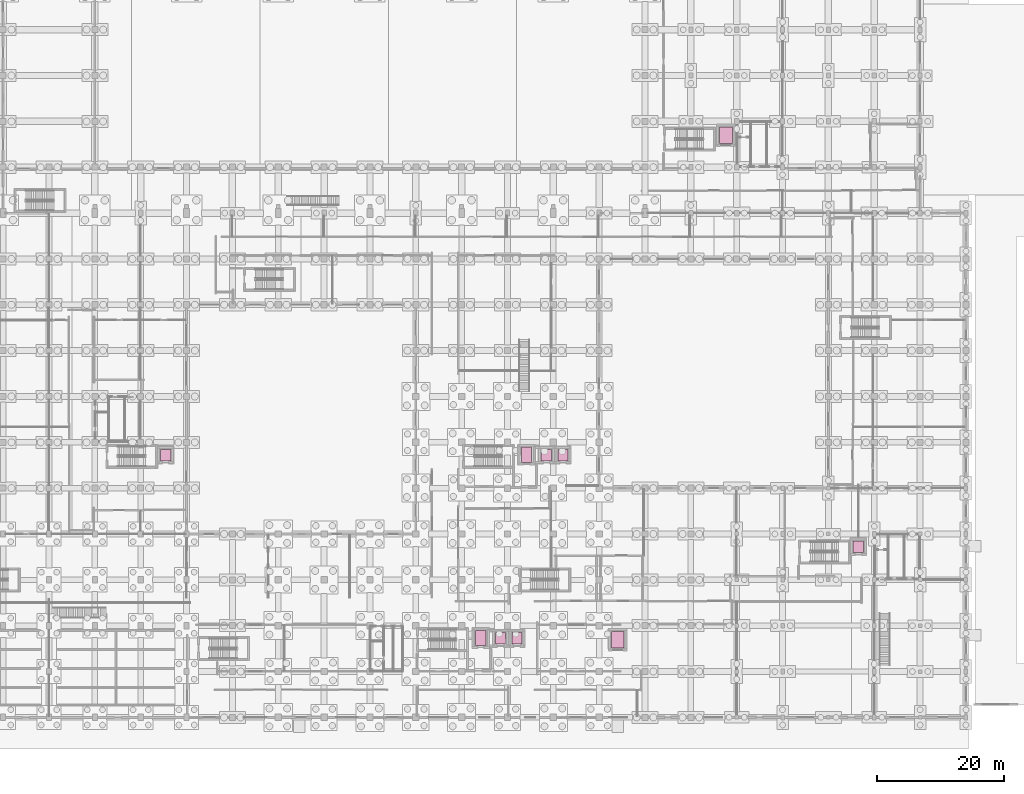
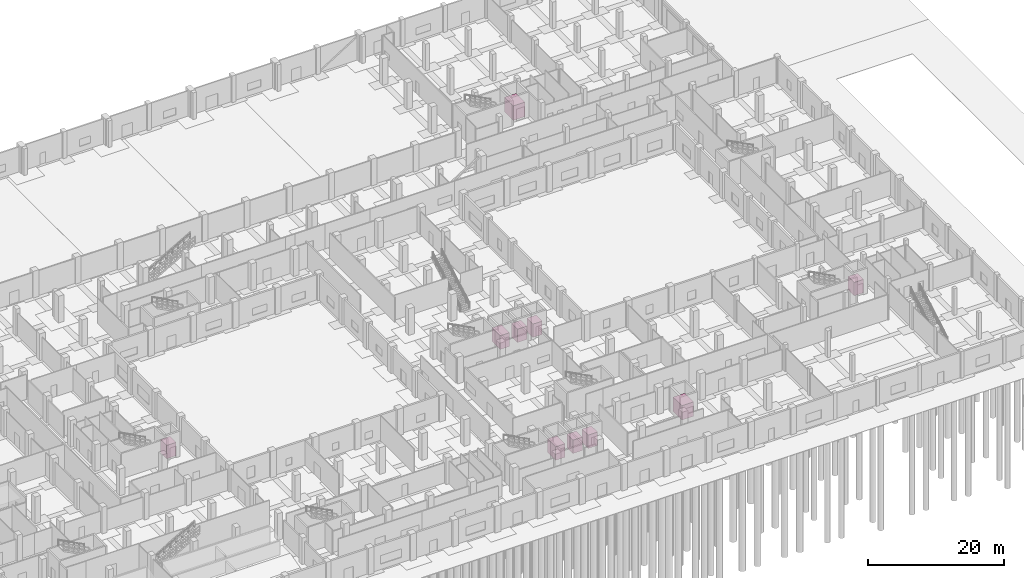
# One storey, part 48 of 48: 10 transport elements.
"""IFC4 building model written with IfcOpenShell, lengths in metres."""

from ifc_helpers import new_model, si_unit, direction, frame, origin, origin_2d, place, context, subcontext, project, spatial, rectangle, extrude, material, type_object, element, save


model = new_model("IFC4")

# Units and contexts
model_context = context("Model", 3, precision=1e-05, world=origin(), true_north=direction((0.0, 1.0)))
body_context = subcontext(model_context, "Body", "Model", "MODEL_VIEW")
ifc_project = project(units=[si_unit("LENGTHUNIT", "METRE"), si_unit("AREAUNIT", "SQUARE_METRE"), si_unit("VOLUMEUNIT", "CUBIC_METRE"), si_unit("PLANEANGLEUNIT", "RADIAN"), si_unit("MASSUNIT", "GRAM", prefix="KILO")], contexts=[model_context])

# Site, building, storey
site_placement = place(None, origin())
site = spatial("IfcSite", under=ifc_project, at=site_placement, CompositionType="ELEMENT")
building_placement = place(site_placement, origin())
building = spatial("IfcBuilding", under=site, at=building_placement, Name="Seraya Terrace Polytechnic", CompositionType="ELEMENT")
storey_placement = place(building_placement, origin())
storey = spatial("IfcBuildingStorey", under=building, at=storey_placement, Name="L00", CompositionType="ELEMENT", Elevation=0.0)

# Transport elements
ifc_material = material(Name="Steel S355J2", Category="steel")
transport_element_type_1 = type_object("IfcTransportElementType", Name="ELV-FF", PredefinedType="ELEVATOR", material=ifc_material)
for number, where, z_axis, x_axis, name in (
    (1, (89.39990234375, 12.449951171875, 0.0), (0.0, 0.0, 1.0), (1.0, 0.0, 0.0), "Elevator FL-01 cab"),
    (2, (96.60009765625, 41.25, 0.0), (0.0, 0.0, 1.0), (1.0, 0.0, 0.0), "Elevator FL-02 cab"),
):
    element("IfcTransportElement", number, at=place(storey_placement, frame(where, z_axis=z_axis, x_axis=x_axis)), inside=storey, type_object=transport_element_type_1, Name=name, PredefinedType="ELEVATOR", context=body_context, shape_type="SweptSolid", body=[
        extrude(rectangle(XDim=1.60009765625, YDim=2.39990234375, at=origin_2d()), origin(), (0.0, 0.0, 1.0), 2.449951171875),
    ])
transport_element_type_2 = type_object("IfcTransportElementType", Name="ELV-GDS", PredefinedType="ELEVATOR", material=ifc_material)
for number, where, z_axis, x_axis, name in (
    (3, (127.89990234375, 91.39990234375, 0.0), (0.0, 0.0, 1.0), (1.0, 0.0, 0.0), "Elevator GL-01 cab"),
    (4, (110.89990234375, 12.199951171875, 0.0), (0.0, 0.0, 1.0), (1.0, 0.0, 0.0), "Elevator GL-02 cab"),
):
    element("IfcTransportElement", number, at=place(storey_placement, frame(where, z_axis=z_axis, x_axis=x_axis)), inside=storey, type_object=transport_element_type_2, Name=name, PredefinedType="ELEVATOR", context=body_context, shape_type="SweptSolid", body=[
        extrude(rectangle(XDim=2.0, YDim=2.60009765625, at=origin_2d()), origin(), (0.0, 0.0, 1.0), 2.60009765625),
    ])
transport_element_type_3 = type_object("IfcTransportElementType", Name="ELV-PAX", PredefinedType="ELEVATOR", material=ifc_material)
for number, where, z_axis, x_axis, name in (
    (5, (92.5, 12.39990234375, 0.0), (0.0, 0.0, 1.0), (1.0, 0.0, 0.0), "Elevator PL-01 cab"),
    (6, (95.10009765625, 12.39990234375, 0.0), (0.0, 0.0, 1.0), (1.0, 0.0, 0.0), "Elevator PL-02 cab"),
    (7, (99.699951171875, 41.199951171875, 0.0), (0.0, 0.0, 1.0), (1.0, 0.0, 0.0), "Elevator PL-03 cab"),
    (8, (102.300048828125, 41.199951171875, 0.0), (0.0, 0.0, 1.0), (1.0, 0.0, 0.0), "Elevator PL-04 cab"),
    (9, (39.919921875, 41.199951171875, 0.0), (0.0, 0.0, 1.0), (1.0, 0.0, 0.0), "Elevator PL-05 cab"),
    (10, (148.699951171875, 26.800048828125, 0.0), (0.0, 0.0, 1.0), (1.0, 0.0, 0.0), "Elevator PL-06 cab"),
):
    element("IfcTransportElement", number, at=place(storey_placement, frame(where, z_axis=z_axis, x_axis=x_axis)), inside=storey, type_object=transport_element_type_3, Name=name, PredefinedType="ELEVATOR", context=body_context, shape_type="SweptSolid", body=[
        extrude(rectangle(XDim=1.60009765625, YDim=1.800048828125, at=origin_2d()), origin(), (0.0, 0.0, 1.0), 2.39990234375),
    ])

save(model, "model.ifc")
